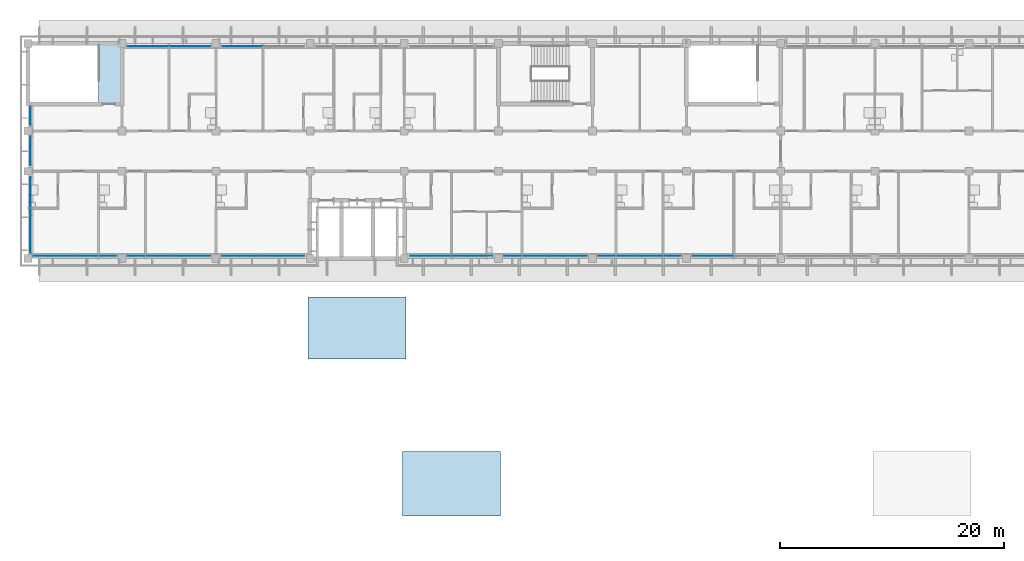
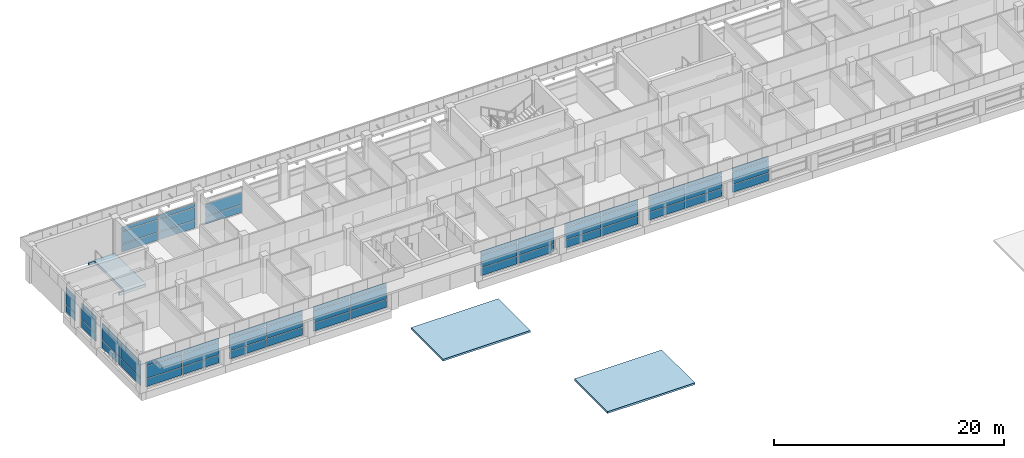
# One storey, part 11 of 36: 59 plates, 3 slabs, 12 elements without a shape of their own.
"""IFC4 building model written with IfcOpenShell, lengths in metres."""

from ifc_helpers import new_model, si_unit, direction, frame, origin, origin_2d, place, context, subcontext, project, spatial, polyline, rectangle, outline, extrude, material, layer, layer_set, type_object, element, aggregate, save


model = new_model("IFC4")

# Units and contexts
model_context = context("Model", 3, precision=1e-05, world=origin(), true_north=direction((0.0, 1.0)))
body_context = subcontext(model_context, "Body", "Model", "MODEL_VIEW")
ifc_project = project(units=[si_unit("LENGTHUNIT", "METRE"), si_unit("AREAUNIT", "SQUARE_METRE"), si_unit("VOLUMEUNIT", "CUBIC_METRE"), si_unit("PLANEANGLEUNIT", "RADIAN"), si_unit("MASSUNIT", "GRAM", prefix="KILO")], contexts=[model_context])

# Site, building, storey
site_placement = place(None, origin())
site = spatial("IfcSite", under=ifc_project, at=site_placement, CompositionType="ELEMENT")
building_placement = place(site_placement, origin())
building = spatial("IfcBuilding", under=site, at=building_placement, Name="Bougainvillea Quay General Hospital", CompositionType="ELEMENT")
storey_placement = place(building_placement, frame((0.0, 0.0, 32.699951171875)))
storey = spatial("IfcBuildingStorey", under=building, at=storey_placement, Name="L07", CompositionType="ELEMENT", Elevation=32.699951171875)

# Curtain wall, plate
ifc_material_1 = material(Name="Aluminium curtain wall system, powder-coated glazed", Category="aluminium")
curtain_wall_type_1 = type_object("IfcCurtainWallType", Name="Unitised curtain wall CW-3730", PredefinedType="NOTDEFINED", material=ifc_material_1)
curtain_wall_1_placement = place(storey_placement, origin())
curtain_wall_1 = element("IfcCurtainWall", 1, at=curtain_wall_1_placement, inside=storey, type_object=curtain_wall_type_1, Name="CW-4200 10", PredefinedType="NOTDEFINED")
ifc_material_2 = material(Name="Insulated aluminium spandrel panel, white", Category="aluminium")
ifc_layer_1 = layer(ifc_material_2, 0.028076171875)
ifc_layer_set_1 = layer_set([ifc_layer_1], Name="Insulated aluminium spandrel panel, white")
plate_type_1 = type_object("IfcPlateType", Name="Insulated spandrel panel white 28", PredefinedType="CURTAIN_PANEL", material=ifc_layer_set_1)
plate_1_placement = place(storey_placement, frame((61.14990234375, 159.35009765625, 0.06005859375), z_axis=(0.0, 0.0, 1.0), x_axis=(-1.0, 0.0, 0.0)))
plate_1 = element("IfcPlate", 2, at=plate_1_placement, type_object=plate_type_1, Name="CW-4200 spandrel panel 2.1", PredefinedType="CURTAIN_PANEL", context=body_context, shape_type="SweptSolid", body=[
    extrude(rectangle(XDim=3.639892578125, YDim=0.028076171875, at=origin_2d()), origin(), (0.0, 0.0, 1.0), 0.81005859375),
])

# Curtain wall, plates
curtain_wall_2_placement = place(storey_placement, origin())
curtain_wall_2 = element("IfcCurtainWall", 3, at=curtain_wall_2_placement, inside=storey, type_object=curtain_wall_type_1, Name="CW-4200 11", PredefinedType="NOTDEFINED")
plate_2_placement = place(storey_placement, frame((56.449951171875, 159.35009765625, 0.06005859375), z_axis=(0.0, 0.0, 1.0), x_axis=(-1.0, 0.0, 0.0)))
plate_2 = element("IfcPlate", 4, at=plate_2_placement, type_object=plate_type_1, Name="CW-4200 spandrel panel 1.1", PredefinedType="CURTAIN_PANEL", context=body_context, shape_type="SweptSolid", body=[
    extrude(rectangle(XDim=3.639892578125, YDim=0.028076171875, at=origin_2d()), origin(), (0.0, 0.0, 1.0), 0.81005859375),
])
plate_3_placement = place(storey_placement, frame((56.449951171875, 159.35009765625, 2.2802734375), z_axis=(0.0, 0.0, 1.0), x_axis=(-1.0, 0.0, 0.0)))
plate_3 = element("IfcPlate", 5, at=plate_3_placement, type_object=plate_type_1, Name="CW-4200 spandrel panel 1.3", PredefinedType="CURTAIN_PANEL", context=body_context, shape_type="SweptSolid", body=[
    extrude(rectangle(XDim=3.639892578125, YDim=0.028076171875, at=origin_2d()), origin(), (0.0, 0.0, 1.0), 0.409912109375),
])
plate_4_placement = place(storey_placement, frame((52.75, 159.35009765625, 0.06005859375), z_axis=(0.0, 0.0, 1.0), x_axis=(-1.0, 0.0, 0.0)))
plate_4 = element("IfcPlate", 6, at=plate_4_placement, type_object=plate_type_1, Name="CW-4200 spandrel panel 2.1", PredefinedType="CURTAIN_PANEL", context=body_context, shape_type="SweptSolid", body=[
    extrude(rectangle(XDim=3.639892578125, YDim=0.028076171875, at=origin_2d()), origin(), (0.0, 0.0, 1.0), 0.81005859375),
])
plate_5_placement = place(storey_placement, frame((52.75, 159.35009765625, 2.2802734375), z_axis=(0.0, 0.0, 1.0), x_axis=(-1.0, 0.0, 0.0)))
plate_5 = element("IfcPlate", 7, at=plate_5_placement, type_object=plate_type_1, Name="CW-4200 spandrel panel 2.3", PredefinedType="CURTAIN_PANEL", context=body_context, shape_type="SweptSolid", body=[
    extrude(rectangle(XDim=3.639892578125, YDim=0.028076171875, at=origin_2d()), origin(), (0.0, 0.0, 1.0), 0.409912109375),
])

curtain_wall_type_2 = type_object("IfcCurtainWallType", Name="Unitised curtain wall CW-1755", PredefinedType="NOTDEFINED", material=ifc_material_1)
curtain_wall_3_placement = place(storey_placement, origin())
curtain_wall_3 = element("IfcCurtainWall", 8, at=curtain_wall_3_placement, inside=storey, type_object=curtain_wall_type_2, Name="CW-4200 00", PredefinedType="NOTDEFINED")
plate_6_placement = place(storey_placement, frame((42.25, 153.1474609375, 0.06005859375), z_axis=(0.0, 0.0, 1.0), x_axis=(0.0, -1.0, 0.0)))
plate_6 = element("IfcPlate", 9, at=plate_6_placement, type_object=plate_type_1, Name="CW-4200 spandrel panel 1.1", PredefinedType="CURTAIN_PANEL", context=body_context, shape_type="SweptSolid", body=[
    extrude(rectangle(XDim=1.635009765625, YDim=0.028076171875, at=origin_2d()), origin(), (0.0, 0.0, 1.0), 0.81005859375),
])
plate_7_placement = place(storey_placement, frame((42.25, 153.1474609375, 2.2802734375), z_axis=(0.0, 0.0, 1.0), x_axis=(0.0, -1.0, 0.0)))
plate_7 = element("IfcPlate", 10, at=plate_7_placement, type_object=plate_type_1, Name="CW-4200 spandrel panel 1.3", PredefinedType="CURTAIN_PANEL", context=body_context, shape_type="SweptSolid", body=[
    extrude(rectangle(XDim=1.635009765625, YDim=0.028076171875, at=origin_2d()), origin(), (0.0, 0.0, 1.0), 0.409912109375),
])

curtain_wall_type_3 = type_object("IfcCurtainWallType", Name="Unitised curtain wall CW-2660", PredefinedType="NOTDEFINED", material=ifc_material_1)
curtain_wall_4_placement = place(storey_placement, origin())
curtain_wall_4 = element("IfcCurtainWall", 11, at=curtain_wall_4_placement, inside=storey, type_object=curtain_wall_type_3, Name="CW-4200 01", PredefinedType="NOTDEFINED")
plate_8_placement = place(storey_placement, frame((42.25, 150.0, 0.06005859375), z_axis=(0.0, 0.0, 1.0), x_axis=(0.0, -1.0, 0.0)))
plate_8 = element("IfcPlate", 12, at=plate_8_placement, type_object=plate_type_1, Name="CW-4200 spandrel panel 1.1", PredefinedType="CURTAIN_PANEL", context=body_context, shape_type="SweptSolid", body=[
    extrude(rectangle(XDim=2.5400390625, YDim=0.028076171875, at=origin_2d()), origin(), (0.0, 0.0, 1.0), 0.81005859375),
])
plate_9_placement = place(storey_placement, frame((42.25, 150.0, 2.2802734375), z_axis=(0.0, 0.0, 1.0), x_axis=(0.0, -1.0, 0.0)))
plate_9 = element("IfcPlate", 13, at=plate_9_placement, type_object=plate_type_1, Name="CW-4200 spandrel panel 1.3", PredefinedType="CURTAIN_PANEL", context=body_context, shape_type="SweptSolid", body=[
    extrude(rectangle(XDim=2.5400390625, YDim=0.028076171875, at=origin_2d()), origin(), (0.0, 0.0, 1.0), 0.409912109375),
])

curtain_wall_type_4 = type_object("IfcCurtainWallType", Name="Unitised curtain wall CW-3430", PredefinedType="NOTDEFINED", material=ifc_material_1)
curtain_wall_5_placement = place(storey_placement, origin())
curtain_wall_5 = element("IfcCurtainWall", 14, at=curtain_wall_5_placement, inside=storey, type_object=curtain_wall_type_4, Name="CW-4200 02", PredefinedType="NOTDEFINED")
plate_10_placement = place(storey_placement, frame((42.25, 146.0, 0.06005859375), z_axis=(0.0, 0.0, 1.0), x_axis=(0.0, -1.0, 0.0)))
plate_10 = element("IfcPlate", 15, at=plate_10_placement, type_object=plate_type_1, Name="CW-4200 spandrel panel 1.1", PredefinedType="CURTAIN_PANEL", context=body_context, shape_type="SweptSolid", body=[
    extrude(rectangle(XDim=3.340087890625, YDim=0.028076171875, at=origin_2d()), origin(), (0.0, 0.0, 1.0), 0.81005859375),
])
plate_11_placement = place(storey_placement, frame((42.25, 146.0, 2.2802734375), z_axis=(0.0, 0.0, 1.0), x_axis=(0.0, -1.0, 0.0)))
plate_11 = element("IfcPlate", 16, at=plate_11_placement, type_object=plate_type_1, Name="CW-4200 spandrel panel 1.3", PredefinedType="CURTAIN_PANEL", context=body_context, shape_type="SweptSolid", body=[
    extrude(rectangle(XDim=3.340087890625, YDim=0.028076171875, at=origin_2d()), origin(), (0.0, 0.0, 1.0), 0.409912109375),
])
plate_12_placement = place(storey_placement, frame((42.25, 142.60009765625, 0.06005859375), z_axis=(0.0, 0.0, 1.0), x_axis=(0.0, -1.0, 0.0)))
plate_12 = element("IfcPlate", 17, at=plate_12_placement, type_object=plate_type_1, Name="CW-4200 spandrel panel 2.1", PredefinedType="CURTAIN_PANEL", context=body_context, shape_type="SweptSolid", body=[
    extrude(rectangle(XDim=3.340087890625, YDim=0.028076171875, at=origin_2d()), origin(), (0.0, 0.0, 1.0), 0.81005859375),
])
plate_13_placement = place(storey_placement, frame((42.25, 142.60009765625, 2.2802734375), z_axis=(0.0, 0.0, 1.0), x_axis=(0.0, -1.0, 0.0)))
plate_13 = element("IfcPlate", 18, at=plate_13_placement, type_object=plate_type_1, Name="CW-4200 spandrel panel 2.3", PredefinedType="CURTAIN_PANEL", context=body_context, shape_type="SweptSolid", body=[
    extrude(rectangle(XDim=3.340087890625, YDim=0.028076171875, at=origin_2d()), origin(), (0.0, 0.0, 1.0), 0.409912109375),
])

curtain_wall_6_placement = place(storey_placement, origin())
curtain_wall_6 = element("IfcCurtainWall", 19, at=curtain_wall_6_placement, inside=storey, type_object=curtain_wall_type_1, Name="CW-4200 00", PredefinedType="NOTDEFINED")
plate_14_placement = place(storey_placement, frame((44.35009765625, 140.64990234375, 0.06005859375), z_axis=(0.0, 0.0, 1.0), x_axis=(1.0, 0.0, 0.0)))
plate_14 = element("IfcPlate", 20, at=plate_14_placement, type_object=plate_type_1, Name="CW-4200 spandrel panel 1.1", PredefinedType="CURTAIN_PANEL", context=body_context, shape_type="SweptSolid", body=[
    extrude(rectangle(XDim=3.639892578125, YDim=0.028076171875, at=origin_2d()), origin(), (0.0, 0.0, 1.0), 0.81005859375),
])
plate_15_placement = place(storey_placement, frame((44.35009765625, 140.64990234375, 2.2802734375), z_axis=(0.0, 0.0, 1.0), x_axis=(1.0, 0.0, 0.0)))
plate_15 = element("IfcPlate", 21, at=plate_15_placement, type_object=plate_type_1, Name="CW-4200 spandrel panel 1.3", PredefinedType="CURTAIN_PANEL", context=body_context, shape_type="SweptSolid", body=[
    extrude(rectangle(XDim=3.639892578125, YDim=0.028076171875, at=origin_2d()), origin(), (0.0, 0.0, 1.0), 0.409912109375),
])
plate_16_placement = place(storey_placement, frame((48.050048828125, 140.64990234375, 0.06005859375), z_axis=(0.0, 0.0, 1.0), x_axis=(1.0, 0.0, 0.0)))
plate_16 = element("IfcPlate", 22, at=plate_16_placement, type_object=plate_type_1, Name="CW-4200 spandrel panel 2.1", PredefinedType="CURTAIN_PANEL", context=body_context, shape_type="SweptSolid", body=[
    extrude(rectangle(XDim=3.639892578125, YDim=0.028076171875, at=origin_2d()), origin(), (0.0, 0.0, 1.0), 0.81005859375),
])
plate_17_placement = place(storey_placement, frame((48.050048828125, 140.64990234375, 2.2802734375), z_axis=(0.0, 0.0, 1.0), x_axis=(1.0, 0.0, 0.0)))
plate_17 = element("IfcPlate", 23, at=plate_17_placement, type_object=plate_type_1, Name="CW-4200 spandrel panel 2.3", PredefinedType="CURTAIN_PANEL", context=body_context, shape_type="SweptSolid", body=[
    extrude(rectangle(XDim=3.639892578125, YDim=0.028076171875, at=origin_2d()), origin(), (0.0, 0.0, 1.0), 0.409912109375),
])

curtain_wall_7_placement = place(storey_placement, origin())
curtain_wall_7 = element("IfcCurtainWall", 24, at=curtain_wall_7_placement, inside=storey, type_object=curtain_wall_type_1, Name="CW-4200 01", PredefinedType="NOTDEFINED")
plate_18_placement = place(storey_placement, frame((52.75, 140.64990234375, 0.06005859375), z_axis=(0.0, 0.0, 1.0), x_axis=(1.0, 0.0, 0.0)))
plate_18 = element("IfcPlate", 25, at=plate_18_placement, type_object=plate_type_1, Name="CW-4200 spandrel panel 1.1", PredefinedType="CURTAIN_PANEL", context=body_context, shape_type="SweptSolid", body=[
    extrude(rectangle(XDim=3.639892578125, YDim=0.028076171875, at=origin_2d()), origin(), (0.0, 0.0, 1.0), 0.81005859375),
])
plate_19_placement = place(storey_placement, frame((52.75, 140.64990234375, 2.2802734375), z_axis=(0.0, 0.0, 1.0), x_axis=(1.0, 0.0, 0.0)))
plate_19 = element("IfcPlate", 26, at=plate_19_placement, type_object=plate_type_1, Name="CW-4200 spandrel panel 1.3", PredefinedType="CURTAIN_PANEL", context=body_context, shape_type="SweptSolid", body=[
    extrude(rectangle(XDim=3.639892578125, YDim=0.028076171875, at=origin_2d()), origin(), (0.0, 0.0, 1.0), 0.409912109375),
])
plate_20_placement = place(storey_placement, frame((56.449951171875, 140.64990234375, 0.06005859375), z_axis=(0.0, 0.0, 1.0), x_axis=(1.0, 0.0, 0.0)))
plate_20 = element("IfcPlate", 27, at=plate_20_placement, type_object=plate_type_1, Name="CW-4200 spandrel panel 2.1", PredefinedType="CURTAIN_PANEL", context=body_context, shape_type="SweptSolid", body=[
    extrude(rectangle(XDim=3.639892578125, YDim=0.028076171875, at=origin_2d()), origin(), (0.0, 0.0, 1.0), 0.81005859375),
])
plate_21_placement = place(storey_placement, frame((56.449951171875, 140.64990234375, 2.2802734375), z_axis=(0.0, 0.0, 1.0), x_axis=(1.0, 0.0, 0.0)))
plate_21 = element("IfcPlate", 28, at=plate_21_placement, type_object=plate_type_1, Name="CW-4200 spandrel panel 2.3", PredefinedType="CURTAIN_PANEL", context=body_context, shape_type="SweptSolid", body=[
    extrude(rectangle(XDim=3.639892578125, YDim=0.028076171875, at=origin_2d()), origin(), (0.0, 0.0, 1.0), 0.409912109375),
])

curtain_wall_8_placement = place(storey_placement, origin())
curtain_wall_8 = element("IfcCurtainWall", 29, at=curtain_wall_8_placement, inside=storey, type_object=curtain_wall_type_1, Name="CW-4200 02", PredefinedType="NOTDEFINED")
plate_22_placement = place(storey_placement, frame((61.14990234375, 140.64990234375, 0.06005859375), z_axis=(0.0, 0.0, 1.0), x_axis=(1.0, 0.0, 0.0)))
plate_22 = element("IfcPlate", 30, at=plate_22_placement, type_object=plate_type_1, Name="CW-4200 spandrel panel 1.1", PredefinedType="CURTAIN_PANEL", context=body_context, shape_type="SweptSolid", body=[
    extrude(rectangle(XDim=3.639892578125, YDim=0.028076171875, at=origin_2d()), origin(), (0.0, 0.0, 1.0), 0.81005859375),
])
plate_23_placement = place(storey_placement, frame((61.14990234375, 140.64990234375, 2.2802734375), z_axis=(0.0, 0.0, 1.0), x_axis=(1.0, 0.0, 0.0)))
plate_23 = element("IfcPlate", 31, at=plate_23_placement, type_object=plate_type_1, Name="CW-4200 spandrel panel 1.3", PredefinedType="CURTAIN_PANEL", context=body_context, shape_type="SweptSolid", body=[
    extrude(rectangle(XDim=3.639892578125, YDim=0.028076171875, at=origin_2d()), origin(), (0.0, 0.0, 1.0), 0.409912109375),
])
plate_24_placement = place(storey_placement, frame((64.85009765625, 140.64990234375, 0.06005859375), z_axis=(0.0, 0.0, 1.0), x_axis=(1.0, 0.0, 0.0)))
plate_24 = element("IfcPlate", 32, at=plate_24_placement, type_object=plate_type_1, Name="CW-4200 spandrel panel 2.1", PredefinedType="CURTAIN_PANEL", context=body_context, shape_type="SweptSolid", body=[
    extrude(rectangle(XDim=3.639892578125, YDim=0.028076171875, at=origin_2d()), origin(), (0.0, 0.0, 1.0), 0.81005859375),
])
plate_25_placement = place(storey_placement, frame((64.85009765625, 140.64990234375, 2.2802734375), z_axis=(0.0, 0.0, 1.0), x_axis=(1.0, 0.0, 0.0)))
plate_25 = element("IfcPlate", 33, at=plate_25_placement, type_object=plate_type_1, Name="CW-4200 spandrel panel 2.3", PredefinedType="CURTAIN_PANEL", context=body_context, shape_type="SweptSolid", body=[
    extrude(rectangle(XDim=3.639892578125, YDim=0.028076171875, at=origin_2d()), origin(), (0.0, 0.0, 1.0), 0.409912109375),
])

curtain_wall_9_placement = place(storey_placement, origin())
curtain_wall_9 = element("IfcCurtainWall", 34, at=curtain_wall_9_placement, inside=storey, type_object=curtain_wall_type_1, Name="CW-4200 00", PredefinedType="NOTDEFINED")
plate_26_placement = place(storey_placement, frame((77.949951171875, 140.64990234375, 0.06005859375), z_axis=(0.0, 0.0, 1.0), x_axis=(1.0, 0.0, 0.0)))
plate_26 = element("IfcPlate", 35, at=plate_26_placement, type_object=plate_type_1, Name="CW-4200 spandrel panel 1.1", PredefinedType="CURTAIN_PANEL", context=body_context, shape_type="SweptSolid", body=[
    extrude(rectangle(XDim=3.639892578125, YDim=0.028076171875, at=origin_2d()), origin(), (0.0, 0.0, 1.0), 0.81005859375),
])
plate_27_placement = place(storey_placement, frame((77.949951171875, 140.64990234375, 2.2802734375), z_axis=(0.0, 0.0, 1.0), x_axis=(1.0, 0.0, 0.0)))
plate_27 = element("IfcPlate", 36, at=plate_27_placement, type_object=plate_type_1, Name="CW-4200 spandrel panel 1.3", PredefinedType="CURTAIN_PANEL", context=body_context, shape_type="SweptSolid", body=[
    extrude(rectangle(XDim=3.639892578125, YDim=0.028076171875, at=origin_2d()), origin(), (0.0, 0.0, 1.0), 0.409912109375),
])
plate_28_placement = place(storey_placement, frame((81.64990234375, 140.64990234375, 0.06005859375), z_axis=(0.0, 0.0, 1.0), x_axis=(1.0, 0.0, 0.0)))
plate_28 = element("IfcPlate", 37, at=plate_28_placement, type_object=plate_type_1, Name="CW-4200 spandrel panel 2.1", PredefinedType="CURTAIN_PANEL", context=body_context, shape_type="SweptSolid", body=[
    extrude(rectangle(XDim=3.639892578125, YDim=0.028076171875, at=origin_2d()), origin(), (0.0, 0.0, 1.0), 0.81005859375),
])
plate_29_placement = place(storey_placement, frame((81.64990234375, 140.64990234375, 2.2802734375), z_axis=(0.0, 0.0, 1.0), x_axis=(1.0, 0.0, 0.0)))
plate_29 = element("IfcPlate", 38, at=plate_29_placement, type_object=plate_type_1, Name="CW-4200 spandrel panel 2.3", PredefinedType="CURTAIN_PANEL", context=body_context, shape_type="SweptSolid", body=[
    extrude(rectangle(XDim=3.639892578125, YDim=0.028076171875, at=origin_2d()), origin(), (0.0, 0.0, 1.0), 0.409912109375),
])

curtain_wall_10_placement = place(storey_placement, origin())
curtain_wall_10 = element("IfcCurtainWall", 39, at=curtain_wall_10_placement, inside=storey, type_object=curtain_wall_type_1, Name="CW-4200 01", PredefinedType="NOTDEFINED")
plate_30_placement = place(storey_placement, frame((86.35009765625, 140.64990234375, 0.06005859375), z_axis=(0.0, 0.0, 1.0), x_axis=(1.0, 0.0, 0.0)))
plate_30 = element("IfcPlate", 40, at=plate_30_placement, type_object=plate_type_1, Name="CW-4200 spandrel panel 1.1", PredefinedType="CURTAIN_PANEL", context=body_context, shape_type="SweptSolid", body=[
    extrude(rectangle(XDim=3.639892578125, YDim=0.028076171875, at=origin_2d()), origin(), (0.0, 0.0, 1.0), 0.81005859375),
])
plate_31_placement = place(storey_placement, frame((86.35009765625, 140.64990234375, 2.2802734375), z_axis=(0.0, 0.0, 1.0), x_axis=(1.0, 0.0, 0.0)))
plate_31 = element("IfcPlate", 41, at=plate_31_placement, type_object=plate_type_1, Name="CW-4200 spandrel panel 1.3", PredefinedType="CURTAIN_PANEL", context=body_context, shape_type="SweptSolid", body=[
    extrude(rectangle(XDim=3.639892578125, YDim=0.028076171875, at=origin_2d()), origin(), (0.0, 0.0, 1.0), 0.409912109375),
])
plate_32_placement = place(storey_placement, frame((90.050048828125, 140.64990234375, 0.06005859375), z_axis=(0.0, 0.0, 1.0), x_axis=(1.0, 0.0, 0.0)))
plate_32 = element("IfcPlate", 42, at=plate_32_placement, type_object=plate_type_1, Name="CW-4200 spandrel panel 2.1", PredefinedType="CURTAIN_PANEL", context=body_context, shape_type="SweptSolid", body=[
    extrude(rectangle(XDim=3.639892578125, YDim=0.028076171875, at=origin_2d()), origin(), (0.0, 0.0, 1.0), 0.81005859375),
])
plate_33_placement = place(storey_placement, frame((90.050048828125, 140.64990234375, 2.2802734375), z_axis=(0.0, 0.0, 1.0), x_axis=(1.0, 0.0, 0.0)))
plate_33 = element("IfcPlate", 43, at=plate_33_placement, type_object=plate_type_1, Name="CW-4200 spandrel panel 2.3", PredefinedType="CURTAIN_PANEL", context=body_context, shape_type="SweptSolid", body=[
    extrude(rectangle(XDim=3.639892578125, YDim=0.028076171875, at=origin_2d()), origin(), (0.0, 0.0, 1.0), 0.409912109375),
])

curtain_wall_11_placement = place(storey_placement, origin())
curtain_wall_11 = element("IfcCurtainWall", 44, at=curtain_wall_11_placement, inside=storey, type_object=curtain_wall_type_1, Name="CW-4200 02", PredefinedType="NOTDEFINED")
plate_34_placement = place(storey_placement, frame((94.75, 140.64990234375, 0.06005859375), z_axis=(0.0, 0.0, 1.0), x_axis=(1.0, 0.0, 0.0)))
plate_34 = element("IfcPlate", 45, at=plate_34_placement, type_object=plate_type_1, Name="CW-4200 spandrel panel 1.1", PredefinedType="CURTAIN_PANEL", context=body_context, shape_type="SweptSolid", body=[
    extrude(rectangle(XDim=3.639892578125, YDim=0.028076171875, at=origin_2d()), origin(), (0.0, 0.0, 1.0), 0.81005859375),
])
plate_35_placement = place(storey_placement, frame((94.75, 140.64990234375, 2.2802734375), z_axis=(0.0, 0.0, 1.0), x_axis=(1.0, 0.0, 0.0)))
plate_35 = element("IfcPlate", 46, at=plate_35_placement, type_object=plate_type_1, Name="CW-4200 spandrel panel 1.3", PredefinedType="CURTAIN_PANEL", context=body_context, shape_type="SweptSolid", body=[
    extrude(rectangle(XDim=3.639892578125, YDim=0.028076171875, at=origin_2d()), origin(), (0.0, 0.0, 1.0), 0.409912109375),
])
plate_36_placement = place(storey_placement, frame((98.449951171875, 140.64990234375, 0.06005859375), z_axis=(0.0, 0.0, 1.0), x_axis=(1.0, 0.0, 0.0)))
plate_36 = element("IfcPlate", 47, at=plate_36_placement, type_object=plate_type_1, Name="CW-4200 spandrel panel 2.1", PredefinedType="CURTAIN_PANEL", context=body_context, shape_type="SweptSolid", body=[
    extrude(rectangle(XDim=3.639892578125, YDim=0.028076171875, at=origin_2d()), origin(), (0.0, 0.0, 1.0), 0.81005859375),
])
plate_37_placement = place(storey_placement, frame((98.449951171875, 140.64990234375, 2.2802734375), z_axis=(0.0, 0.0, 1.0), x_axis=(1.0, 0.0, 0.0)))
plate_37 = element("IfcPlate", 48, at=plate_37_placement, type_object=plate_type_1, Name="CW-4200 spandrel panel 2.3", PredefinedType="CURTAIN_PANEL", context=body_context, shape_type="SweptSolid", body=[
    extrude(rectangle(XDim=3.639892578125, YDim=0.028076171875, at=origin_2d()), origin(), (0.0, 0.0, 1.0), 0.409912109375),
])

curtain_wall_12_placement = place(storey_placement, origin())
curtain_wall_12 = element("IfcCurtainWall", 49, at=curtain_wall_12_placement, inside=storey, type_object=curtain_wall_type_1, Name="CW-4200 03", PredefinedType="NOTDEFINED")
plate_38_placement = place(storey_placement, frame((103.14990234375, 140.64990234375, 0.06005859375), z_axis=(0.0, 0.0, 1.0), x_axis=(1.0, 0.0, 0.0)))
plate_38 = element("IfcPlate", 50, at=plate_38_placement, type_object=plate_type_1, Name="CW-4200 spandrel panel 1.1", PredefinedType="CURTAIN_PANEL", context=body_context, shape_type="SweptSolid", body=[
    extrude(rectangle(XDim=3.639892578125, YDim=0.028076171875, at=origin_2d()), origin(), (0.0, 0.0, 1.0), 0.81005859375),
])
plate_39_placement = place(storey_placement, frame((103.14990234375, 140.64990234375, 2.2802734375), z_axis=(0.0, 0.0, 1.0), x_axis=(1.0, 0.0, 0.0)))
plate_39 = element("IfcPlate", 51, at=plate_39_placement, type_object=plate_type_1, Name="CW-4200 spandrel panel 1.3", PredefinedType="CURTAIN_PANEL", context=body_context, shape_type="SweptSolid", body=[
    extrude(rectangle(XDim=3.639892578125, YDim=0.028076171875, at=origin_2d()), origin(), (0.0, 0.0, 1.0), 0.409912109375),
])

# Plate
ifc_material_3 = material(Name="Low-e laminated glass, solar control", Category="glass")
ifc_layer_2 = layer(ifc_material_3, 0.028076171875)
ifc_layer_set_2 = layer_set([ifc_layer_2], Name="Low-e laminated glass, solar control")
plate_type_2 = type_object("IfcPlateType", Name="Low-e laminated vision glass 28", PredefinedType="CURTAIN_PANEL", material=ifc_layer_set_2)
plate_40_placement = place(storey_placement, frame((61.14990234375, 159.35009765625, 0.929931640625), z_axis=(0.0, 0.0, 1.0), x_axis=(-1.0, 0.0, 0.0)))
plate_40 = element("IfcPlate", 52, at=plate_40_placement, type_object=plate_type_2, Name="CW-4200 vision glass panel 2.2", PredefinedType="CURTAIN_PANEL", context=body_context, shape_type="SweptSolid", body=[
    extrude(rectangle(XDim=3.639892578125, YDim=0.028076171875, at=origin_2d()), origin(), (0.0, 0.0, 1.0), 1.2900390625),
])

aggregate(curtain_wall_1, [plate_1, plate_40])

plate_41_placement = place(storey_placement, frame((56.449951171875, 159.35009765625, 0.929931640625), z_axis=(0.0, 0.0, 1.0), x_axis=(-1.0, 0.0, 0.0)))
plate_41 = element("IfcPlate", 53, at=plate_41_placement, type_object=plate_type_2, Name="CW-4200 vision glass panel 1.2", PredefinedType="CURTAIN_PANEL", context=body_context, shape_type="SweptSolid", body=[
    extrude(rectangle(XDim=3.639892578125, YDim=0.028076171875, at=origin_2d()), origin(), (0.0, 0.0, 1.0), 1.2900390625),
])

plate_42_placement = place(storey_placement, frame((52.75, 159.35009765625, 0.929931640625), z_axis=(0.0, 0.0, 1.0), x_axis=(-1.0, 0.0, 0.0)))
plate_42 = element("IfcPlate", 54, at=plate_42_placement, type_object=plate_type_2, Name="CW-4200 vision glass panel 2.2", PredefinedType="CURTAIN_PANEL", context=body_context, shape_type="SweptSolid", body=[
    extrude(rectangle(XDim=3.639892578125, YDim=0.028076171875, at=origin_2d()), origin(), (0.0, 0.0, 1.0), 1.2900390625),
])

aggregate(curtain_wall_2, [plate_2, plate_41, plate_3, plate_4, plate_42, plate_5])

plate_43_placement = place(storey_placement, frame((42.25, 153.1474609375, 0.929931640625), z_axis=(0.0, 0.0, 1.0), x_axis=(0.0, -1.0, 0.0)))
plate_43 = element("IfcPlate", 55, at=plate_43_placement, type_object=plate_type_2, Name="CW-4200 vision glass panel 1.2", PredefinedType="CURTAIN_PANEL", context=body_context, shape_type="SweptSolid", body=[
    extrude(rectangle(XDim=1.635009765625, YDim=0.028076171875, at=origin_2d()), origin(), (0.0, 0.0, 1.0), 1.2900390625),
])

aggregate(curtain_wall_3, [plate_6, plate_43, plate_7])

plate_44_placement = place(storey_placement, frame((42.25, 150.0, 0.929931640625), z_axis=(0.0, 0.0, 1.0), x_axis=(0.0, -1.0, 0.0)))
plate_44 = element("IfcPlate", 56, at=plate_44_placement, type_object=plate_type_2, Name="CW-4200 vision glass panel 1.2", PredefinedType="CURTAIN_PANEL", context=body_context, shape_type="SweptSolid", body=[
    extrude(rectangle(XDim=2.5400390625, YDim=0.028076171875, at=origin_2d()), origin(), (0.0, 0.0, 1.0), 1.2900390625),
])

aggregate(curtain_wall_4, [plate_8, plate_44, plate_9])

plate_45_placement = place(storey_placement, frame((42.25, 146.0, 0.929931640625), z_axis=(0.0, 0.0, 1.0), x_axis=(0.0, -1.0, 0.0)))
plate_45 = element("IfcPlate", 57, at=plate_45_placement, type_object=plate_type_2, Name="CW-4200 vision glass panel 1.2", PredefinedType="CURTAIN_PANEL", context=body_context, shape_type="SweptSolid", body=[
    extrude(rectangle(XDim=3.340087890625, YDim=0.028076171875, at=origin_2d()), origin(), (0.0, 0.0, 1.0), 1.2900390625),
])

plate_46_placement = place(storey_placement, frame((42.25, 142.60009765625, 0.929931640625), z_axis=(0.0, 0.0, 1.0), x_axis=(0.0, -1.0, 0.0)))
plate_46 = element("IfcPlate", 58, at=plate_46_placement, type_object=plate_type_2, Name="CW-4200 vision glass panel 2.2", PredefinedType="CURTAIN_PANEL", context=body_context, shape_type="SweptSolid", body=[
    extrude(rectangle(XDim=3.340087890625, YDim=0.028076171875, at=origin_2d()), origin(), (0.0, 0.0, 1.0), 1.2900390625),
])

aggregate(curtain_wall_5, [plate_10, plate_45, plate_11, plate_12, plate_46, plate_13])

plate_47_placement = place(storey_placement, frame((44.35009765625, 140.64990234375, 0.929931640625), z_axis=(0.0, 0.0, 1.0), x_axis=(1.0, 0.0, 0.0)))
plate_47 = element("IfcPlate", 59, at=plate_47_placement, type_object=plate_type_2, Name="CW-4200 vision glass panel 1.2", PredefinedType="CURTAIN_PANEL", context=body_context, shape_type="SweptSolid", body=[
    extrude(rectangle(XDim=3.639892578125, YDim=0.028076171875, at=origin_2d()), origin(), (0.0, 0.0, 1.0), 1.2900390625),
])

plate_48_placement = place(storey_placement, frame((48.050048828125, 140.64990234375, 0.929931640625), z_axis=(0.0, 0.0, 1.0), x_axis=(1.0, 0.0, 0.0)))
plate_48 = element("IfcPlate", 60, at=plate_48_placement, type_object=plate_type_2, Name="CW-4200 vision glass panel 2.2", PredefinedType="CURTAIN_PANEL", context=body_context, shape_type="SweptSolid", body=[
    extrude(rectangle(XDim=3.639892578125, YDim=0.028076171875, at=origin_2d()), origin(), (0.0, 0.0, 1.0), 1.2900390625),
])

aggregate(curtain_wall_6, [plate_14, plate_47, plate_15, plate_16, plate_48, plate_17])

plate_49_placement = place(storey_placement, frame((52.75, 140.64990234375, 0.929931640625), z_axis=(0.0, 0.0, 1.0), x_axis=(1.0, 0.0, 0.0)))
plate_49 = element("IfcPlate", 61, at=plate_49_placement, type_object=plate_type_2, Name="CW-4200 vision glass panel 1.2", PredefinedType="CURTAIN_PANEL", context=body_context, shape_type="SweptSolid", body=[
    extrude(rectangle(XDim=3.639892578125, YDim=0.028076171875, at=origin_2d()), origin(), (0.0, 0.0, 1.0), 1.2900390625),
])

plate_50_placement = place(storey_placement, frame((56.449951171875, 140.64990234375, 0.929931640625), z_axis=(0.0, 0.0, 1.0), x_axis=(1.0, 0.0, 0.0)))
plate_50 = element("IfcPlate", 62, at=plate_50_placement, type_object=plate_type_2, Name="CW-4200 vision glass panel 2.2", PredefinedType="CURTAIN_PANEL", context=body_context, shape_type="SweptSolid", body=[
    extrude(rectangle(XDim=3.639892578125, YDim=0.028076171875, at=origin_2d()), origin(), (0.0, 0.0, 1.0), 1.2900390625),
])

aggregate(curtain_wall_7, [plate_18, plate_49, plate_19, plate_20, plate_50, plate_21])

plate_51_placement = place(storey_placement, frame((61.14990234375, 140.64990234375, 0.929931640625), z_axis=(0.0, 0.0, 1.0), x_axis=(1.0, 0.0, 0.0)))
plate_51 = element("IfcPlate", 63, at=plate_51_placement, type_object=plate_type_2, Name="CW-4200 vision glass panel 1.2", PredefinedType="CURTAIN_PANEL", context=body_context, shape_type="SweptSolid", body=[
    extrude(rectangle(XDim=3.639892578125, YDim=0.028076171875, at=origin_2d()), origin(), (0.0, 0.0, 1.0), 1.2900390625),
])

plate_52_placement = place(storey_placement, frame((64.85009765625, 140.64990234375, 0.929931640625), z_axis=(0.0, 0.0, 1.0), x_axis=(1.0, 0.0, 0.0)))
plate_52 = element("IfcPlate", 64, at=plate_52_placement, type_object=plate_type_2, Name="CW-4200 vision glass panel 2.2", PredefinedType="CURTAIN_PANEL", context=body_context, shape_type="SweptSolid", body=[
    extrude(rectangle(XDim=3.639892578125, YDim=0.028076171875, at=origin_2d()), origin(), (0.0, 0.0, 1.0), 1.2900390625),
])

aggregate(curtain_wall_8, [plate_22, plate_51, plate_23, plate_24, plate_52, plate_25])

plate_53_placement = place(storey_placement, frame((77.949951171875, 140.64990234375, 0.929931640625), z_axis=(0.0, 0.0, 1.0), x_axis=(1.0, 0.0, 0.0)))
plate_53 = element("IfcPlate", 65, at=plate_53_placement, type_object=plate_type_2, Name="CW-4200 vision glass panel 1.2", PredefinedType="CURTAIN_PANEL", context=body_context, shape_type="SweptSolid", body=[
    extrude(rectangle(XDim=3.639892578125, YDim=0.028076171875, at=origin_2d()), origin(), (0.0, 0.0, 1.0), 1.2900390625),
])

plate_54_placement = place(storey_placement, frame((81.64990234375, 140.64990234375, 0.929931640625), z_axis=(0.0, 0.0, 1.0), x_axis=(1.0, 0.0, 0.0)))
plate_54 = element("IfcPlate", 66, at=plate_54_placement, type_object=plate_type_2, Name="CW-4200 vision glass panel 2.2", PredefinedType="CURTAIN_PANEL", context=body_context, shape_type="SweptSolid", body=[
    extrude(rectangle(XDim=3.639892578125, YDim=0.028076171875, at=origin_2d()), origin(), (0.0, 0.0, 1.0), 1.2900390625),
])

aggregate(curtain_wall_9, [plate_26, plate_53, plate_27, plate_28, plate_54, plate_29])

plate_55_placement = place(storey_placement, frame((86.35009765625, 140.64990234375, 0.929931640625), z_axis=(0.0, 0.0, 1.0), x_axis=(1.0, 0.0, 0.0)))
plate_55 = element("IfcPlate", 67, at=plate_55_placement, type_object=plate_type_2, Name="CW-4200 vision glass panel 1.2", PredefinedType="CURTAIN_PANEL", context=body_context, shape_type="SweptSolid", body=[
    extrude(rectangle(XDim=3.639892578125, YDim=0.028076171875, at=origin_2d()), origin(), (0.0, 0.0, 1.0), 1.2900390625),
])

plate_56_placement = place(storey_placement, frame((90.050048828125, 140.64990234375, 0.929931640625), z_axis=(0.0, 0.0, 1.0), x_axis=(1.0, 0.0, 0.0)))
plate_56 = element("IfcPlate", 68, at=plate_56_placement, type_object=plate_type_2, Name="CW-4200 vision glass panel 2.2", PredefinedType="CURTAIN_PANEL", context=body_context, shape_type="SweptSolid", body=[
    extrude(rectangle(XDim=3.639892578125, YDim=0.028076171875, at=origin_2d()), origin(), (0.0, 0.0, 1.0), 1.2900390625),
])

aggregate(curtain_wall_10, [plate_30, plate_55, plate_31, plate_32, plate_56, plate_33])

plate_57_placement = place(storey_placement, frame((94.75, 140.64990234375, 0.929931640625), z_axis=(0.0, 0.0, 1.0), x_axis=(1.0, 0.0, 0.0)))
plate_57 = element("IfcPlate", 69, at=plate_57_placement, type_object=plate_type_2, Name="CW-4200 vision glass panel 1.2", PredefinedType="CURTAIN_PANEL", context=body_context, shape_type="SweptSolid", body=[
    extrude(rectangle(XDim=3.639892578125, YDim=0.028076171875, at=origin_2d()), origin(), (0.0, 0.0, 1.0), 1.2900390625),
])

plate_58_placement = place(storey_placement, frame((98.449951171875, 140.64990234375, 0.929931640625), z_axis=(0.0, 0.0, 1.0), x_axis=(1.0, 0.0, 0.0)))
plate_58 = element("IfcPlate", 70, at=plate_58_placement, type_object=plate_type_2, Name="CW-4200 vision glass panel 2.2", PredefinedType="CURTAIN_PANEL", context=body_context, shape_type="SweptSolid", body=[
    extrude(rectangle(XDim=3.639892578125, YDim=0.028076171875, at=origin_2d()), origin(), (0.0, 0.0, 1.0), 1.2900390625),
])

aggregate(curtain_wall_11, [plate_34, plate_57, plate_35, plate_36, plate_58, plate_37])

plate_59_placement = place(storey_placement, frame((103.14990234375, 140.64990234375, 0.929931640625), z_axis=(0.0, 0.0, 1.0), x_axis=(1.0, 0.0, 0.0)))
plate_59 = element("IfcPlate", 71, at=plate_59_placement, type_object=plate_type_2, Name="CW-4200 vision glass panel 1.2", PredefinedType="CURTAIN_PANEL", context=body_context, shape_type="SweptSolid", body=[
    extrude(rectangle(XDim=3.639892578125, YDim=0.028076171875, at=origin_2d()), origin(), (0.0, 0.0, 1.0), 1.2900390625),
])

aggregate(curtain_wall_12, [plate_38, plate_59, plate_39])

# Slabs
ifc_material_4 = material(Name="Concrete C35", Category="concrete")
ifc_layer_3 = layer(ifc_material_4, 0.199951171875)
ifc_layer_set_3 = layer_set([ifc_layer_3], Name="Concrete C35")
slab_type_1 = type_object("IfcSlabType", Name="RC FLAT SLAB 200 C35 ROOF", PredefinedType="ROOF", material=ifc_layer_set_3)
slab_1_placement = place(storey_placement, frame((0.0, 0.0, -0.199951171875)))
element("IfcSlab", 72, at=slab_1_placement, inside=storey, type_object=slab_type_1, Name="Slab S10 L07", PredefinedType="ROOF", context=body_context, shape_type="SweptSolid", body=[
    extrude(outline(polyline([(84.175048828125, 123.175048828125), (75.425048828125, 123.175048828125), (75.425048828125, 117.425048828125), (84.175048828125, 117.425048828125), (84.175048828125, 123.175048828125)])), origin(), (0.0, 0.0, 1.0), 0.199951171875),
])
slab_2_placement = place(storey_placement, frame((0.0, 0.0, -0.199951171875)))
element("IfcSlab", 73, at=slab_2_placement, inside=storey, type_object=slab_type_1, Name="Slab S10 L07", PredefinedType="ROOF", context=body_context, shape_type="SweptSolid", body=[
    extrude(outline(polyline([(75.77490234375, 136.97509765625), (67.02490234375, 136.97509765625), (67.02490234375, 131.425048828125), (75.77490234375, 131.425048828125), (75.77490234375, 136.97509765625)])), origin(), (0.0, 0.0, 1.0), 0.199951171875),
])
ifc_layer_4 = layer(ifc_material_4, 0.300048828125)
ifc_layer_set_4 = layer_set([ifc_layer_4], Name="Concrete C35")
slab_type_2 = type_object("IfcSlabType", Name="RC FLAT SLAB 300 C35", PredefinedType="FLOOR", material=ifc_layer_set_4)
slab_3_placement = place(storey_placement, frame((0.0, 0.0, -0.300048828125)))
element("IfcSlab", 74, at=slab_3_placement, inside=storey, type_object=slab_type_2, Name="Stair landing floor ST-A1 L07", PredefinedType="FLOOR", context=body_context, shape_type="SweptSolid", body=[
    extrude(outline(polyline([(47.702880859375, 159.48388671875), (47.71142578125, 159.5419921875), (47.725830078125, 159.599609375), (50.39990234375, 159.60009765625), (50.39990234375, 154.199951171875), (47.725830078125, 154.200439453125), (47.71142578125, 154.2578125), (47.702880859375, 154.316162109375), (47.699951171875, 154.3740234375), (48.300537109375, 154.374267578125), (48.300537109375, 159.425537109375), (47.699951171875, 159.426025390625), (47.702880859375, 159.48388671875)])), origin(), (0.0, 0.0, 1.0), 0.300048828125),
])

save(model, "model.ifc")
